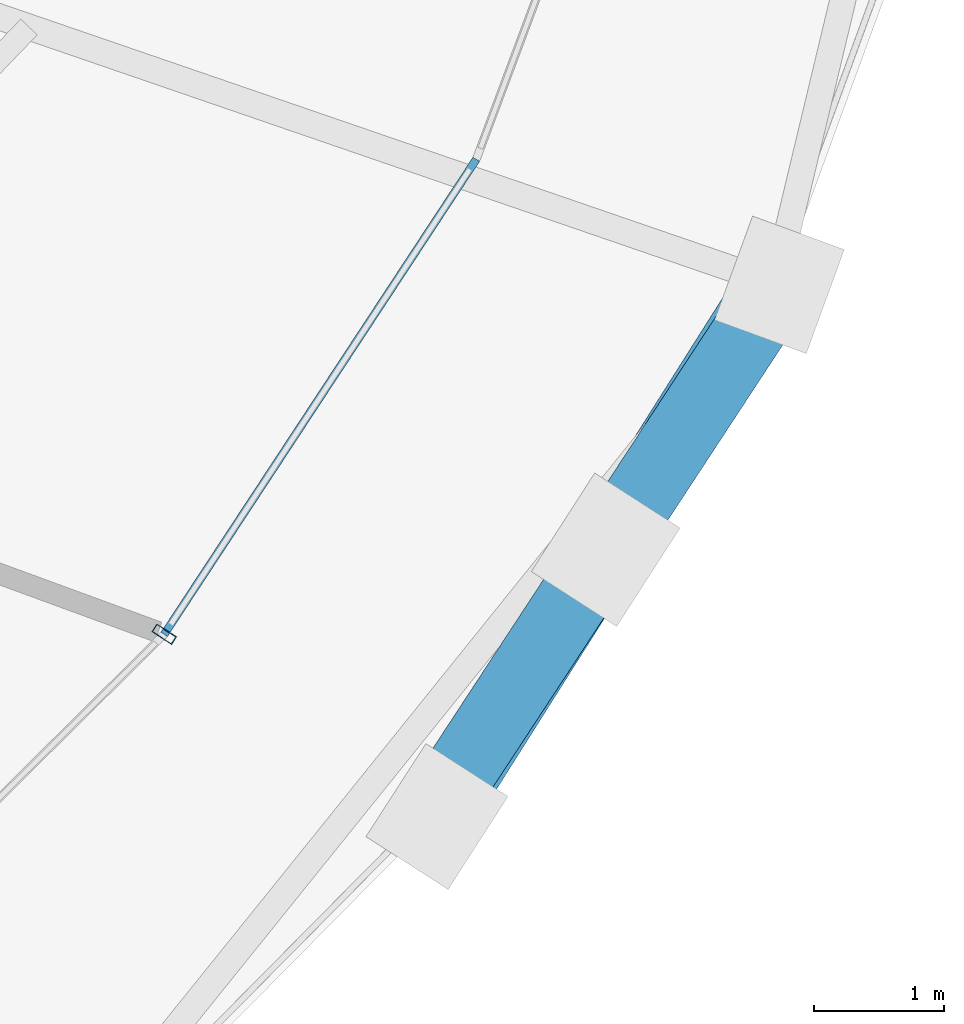
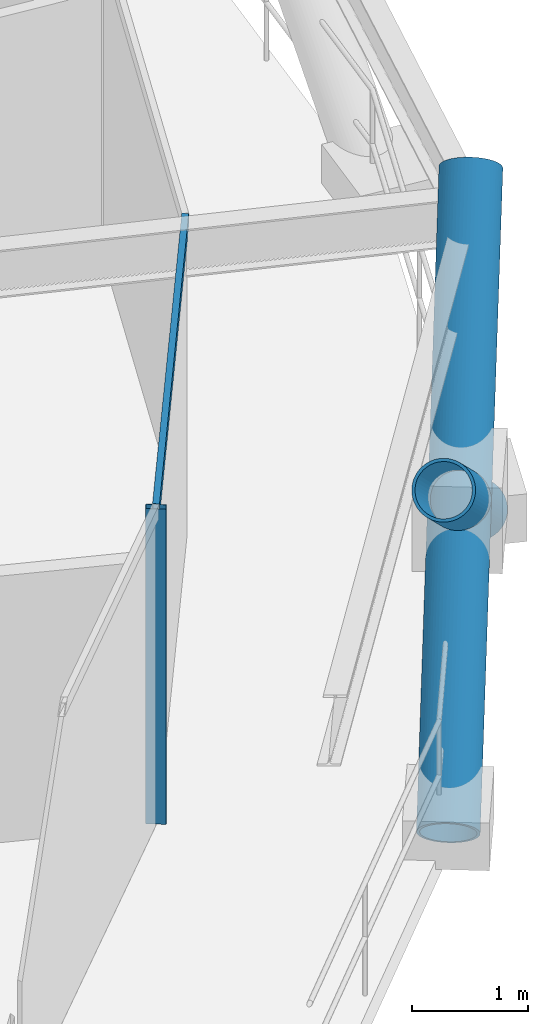
# One storey, part 7 of 21: 5 members, 1 element without a shape of its own.
"""IFC4 building model written with IfcOpenShell, lengths in metres."""

from ifc_helpers import new_model, si_unit, direction, frame, origin, origin_2d, place, context, subcontext, project, spatial, hollow_rectangle, hollow_circle, extrude, material, layer, layer_set, material_profile, profile_set, type_object, element, aggregate, save


model = new_model("IFC4")

# Units and contexts
model_context = context("Model", 3, precision=1e-05, world=origin(), true_north=direction((0.0, 1.0)))
body_context = subcontext(model_context, "Body", "Model", "MODEL_VIEW")
ifc_project = project(units=[si_unit("LENGTHUNIT", "METRE"), si_unit("AREAUNIT", "SQUARE_METRE"), si_unit("VOLUMEUNIT", "CUBIC_METRE"), si_unit("PLANEANGLEUNIT", "RADIAN"), si_unit("MASSUNIT", "GRAM", prefix="KILO")], contexts=[model_context])

# Site, building, storey
site_placement = place(None, origin())
site = spatial("IfcSite", under=ifc_project, at=site_placement, CompositionType="ELEMENT")
building_placement = place(site_placement, origin())
building = spatial("IfcBuilding", under=site, at=building_placement, Name="Veldorina Hangang Commons", CompositionType="ELEMENT")
storey_placement = place(building_placement, frame((0.0, 0.0, 138.800048828125)))
storey = spatial("IfcBuildingStorey", under=building, at=storey_placement, Name="L35", CompositionType="ELEMENT", Elevation=138.800048828125)

# Curtain wall, members
ifc_material_1 = material(Name="Glass Low-E Triple IGU", Category="glass")
ifc_layer = layer(ifc_material_1, 0.179931640625)
ifc_layer_set = layer_set([ifc_layer], Name="Glass Low-E Triple IGU")
curtain_wall_type = type_object("IfcCurtainWallType", Name="CW-SYS-Z2", PredefinedType="NOTDEFINED", material=ifc_layer_set)
curtain_wall_placement = place(storey_placement, origin())
curtain_wall = element("IfcCurtainWall", 1, at=curtain_wall_placement, inside=storey, type_object=curtain_wall_type, Name="L35 unitised curtain wall CW-L35-R2", PredefinedType="NOTDEFINED")
ifc_material_2 = material(Name="Aluminium Anodized AA6063-T6", Category="aluminium")
ifc_material_profile_1 = material_profile(ifc_material_2, hollow_rectangle(XDim=0.070068359375, YDim=0.179931640625, WallThickness=0.00390625, at=origin_2d()), Name="ALU-RHS-180x70x4")
ifc_profile_set_1 = profile_set([ifc_material_profile_1], Name="Aluminium Anodized AA6063-T6")
member_type_1 = type_object("IfcMemberType", Name="CW-MUL-180", PredefinedType="MULLION", material=ifc_profile_set_1)
member_1_placement = place(storey_placement, frame((53.56689453125, 12.277099609375, 0.0), z_axis=(0.0, 0.0, 1.0), x_axis=(0.549124927033, 0.83574027934, 0.0)))
member_1 = element("IfcMember", 2, at=member_1_placement, type_object=member_type_1, Name="CW-L35-R2 vertical mullion 2", PredefinedType="MULLION", context=body_context, shape_type="SweptSolid", body=[
    extrude(hollow_rectangle(XDim=0.070068359375, YDim=0.179931640625, WallThickness=0.00390625, at=origin_2d()), origin(), (0.0, 0.0, 1.0), 3.31005859375),
])
ifc_material_profile_2 = material_profile(ifc_material_2, hollow_rectangle(XDim=0.06005859375, YDim=0.139892578125, WallThickness=0.00341796875, at=origin_2d()), Name="ALU-RHS-140x60x3.5")
ifc_profile_set_2 = profile_set([ifc_material_profile_2], Name="Aluminium Anodized AA6063-T6")
member_type_2 = type_object("IfcMemberType", Name="CW-TRN-140", PredefinedType="USERDEFINED", material=ifc_profile_set_2)
member_2_placement = place(storey_placement, frame((53.56689453125, 12.277099609375, 3.27001953125), z_axis=(0.54913770702, 0.835731882083, 0.0), x_axis=(-0.835731882083, 0.54913770702, 0.0)))
member_2 = element("IfcMember", 3, at=member_2_placement, type_object=member_type_2, Name="CW-L35-R2 facet 3 transom 1", ObjectType="TRANSOM", PredefinedType="USERDEFINED", context=body_context, shape_type="SweptSolid", body=[
    extrude(hollow_rectangle(XDim=0.06005859375, YDim=0.139892578125, WallThickness=0.00341796875, at=origin_2d()), origin(), (0.0, 0.0, 1.0), 4.364990234375),
])
aggregate(curtain_wall, [member_1, member_2])

# Members
ifc_material_3 = material(Name="Steel SM420-TMC", Category="steel")
ifc_material_profile_3 = material_profile(ifc_material_3, hollow_circle(Radius=0.27490234375, WallThickness=0.028076171875, at=origin_2d()), Name="CHS-550x28")
ifc_profile_set_3 = profile_set([ifc_material_profile_3], Name="Steel SM420-TMC")
member_type_3 = type_object("IfcMemberType", Name="DG-CHS550", PredefinedType="BRACE", material=ifc_profile_set_3)
member_3_placement = place(storey_placement, frame((55.662109375, 10.876953125, 0.0), z_axis=(0.428999524315, 0.678463940831, 0.596360703878), x_axis=(-0.845209823893, 0.53443461115, 0.0)))
element("IfcMember", 4, at=member_3_placement, inside=storey, type_object=member_type_3, Name="L35 continuous perimeter diagrid brace 29", PredefinedType="BRACE", context=body_context, shape_type="SweptSolid", body=[
    extrude(hollow_circle(Radius=0.27490234375, WallThickness=0.028076171875, at=origin_2d()), origin(), (0.0, 0.0, 1.0), 6.036376953125),
])
member_4_placement = place(storey_placement, frame((58.2919921875, 14.960693359375, 0.0), z_axis=(-0.440730586123, -0.672104063083, 0.595006452775), x_axis=(0.836240595863, -0.54836271375, 0.0)))
element("IfcMember", 5, at=member_4_placement, inside=storey, type_object=member_type_3, Name="L35 split perimeter diagrid lower brace 30", PredefinedType="BRACE", context=body_context, shape_type="SweptSolid", body=[
    extrude(hollow_circle(Radius=0.27490234375, WallThickness=0.028076171875, at=origin_2d()), origin(), (0.0, 0.0, 1.0), 3.02734375),
])
member_5_placement = place(storey_placement, frame((56.957763671875, 12.926025390625, 1.80126953125), z_axis=(-0.440552028221, -0.672255743888, 0.594967331238), x_axis=(0.836399180804, -0.548120799049, 0.0)))
element("IfcMember", 6, at=member_5_placement, inside=storey, type_object=member_type_3, Name="L35 split perimeter diagrid upper brace 30", PredefinedType="BRACE", context=body_context, shape_type="SweptSolid", body=[
    extrude(hollow_circle(Radius=0.27490234375, WallThickness=0.028076171875, at=origin_2d()), origin(), (0.0, 0.0, 1.0), 3.02294921875),
])

save(model, "model.ifc")
